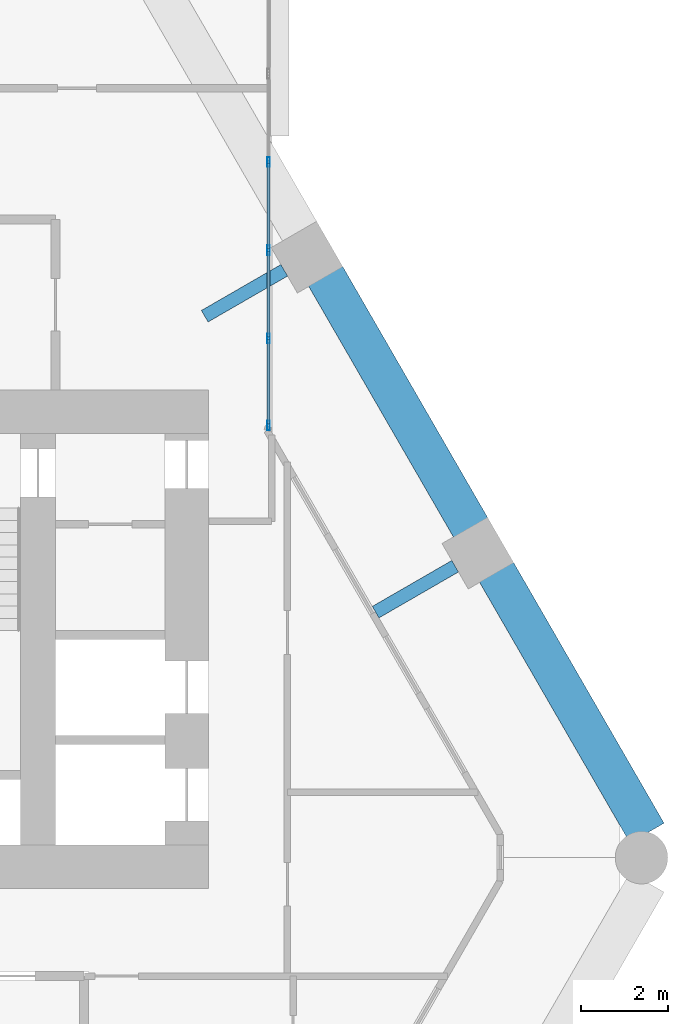
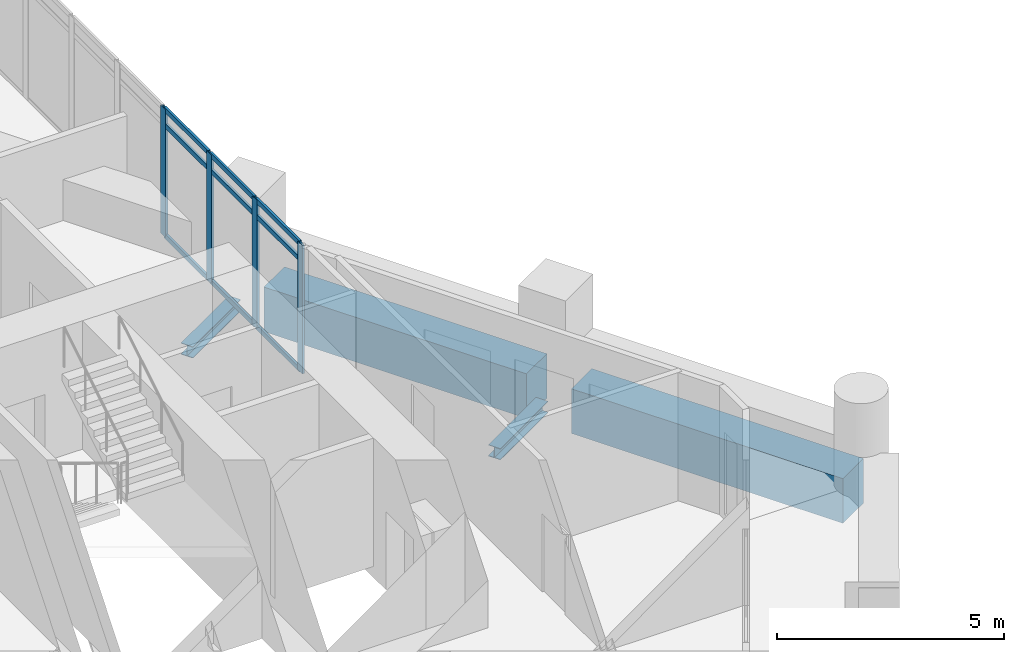
# One storey, part 23 of 37: 13 members, 4 beams, 1 element without a shape of its own.
"""IFC4 building model written with IfcOpenShell, lengths in metres."""

from ifc_helpers import new_model, si_unit, direction, frame, origin, origin_2d, place, context, subcontext, project, spatial, rectangle, hollow_rectangle, i_section, extrude, material, material_profile, profile_set, type_object, element, aggregate, save


model = new_model("IFC4")

# Units and contexts
model_context = context("Model", 3, precision=1e-05, world=origin(), true_north=direction((0.0, 1.0)))
body_context = subcontext(model_context, "Body", "Model", "MODEL_VIEW")
ifc_project = project(units=[si_unit("LENGTHUNIT", "METRE"), si_unit("AREAUNIT", "SQUARE_METRE"), si_unit("VOLUMEUNIT", "CUBIC_METRE"), si_unit("PLANEANGLEUNIT", "RADIAN"), si_unit("MASSUNIT", "GRAM", prefix="KILO")], contexts=[model_context])

# Site, building, storey
site_placement = place(None, origin())
site = spatial("IfcSite", under=ifc_project, at=site_placement, CompositionType="ELEMENT")
building_placement = place(site_placement, origin())
building = spatial("IfcBuilding", under=site, at=building_placement, Name="Ostrander Bayou Hotel Tower", CompositionType="ELEMENT")
storey_placement = place(building_placement, frame((0.0, 0.0, 131.0)))
storey = spatial("IfcBuildingStorey", under=building, at=storey_placement, Name="L32", CompositionType="ELEMENT", Elevation=131.0)

# Curtain wall, members
ifc_material_1 = material(Name="Aluminium and clear glass", Category="aluminium")
curtain_wall_type = type_object("IfcCurtainWallType", Name="CW-BAR glazed wall", PredefinedType="NOTDEFINED", material=ifc_material_1)
curtain_wall_placement = place(storey_placement, origin())
curtain_wall = element("IfcCurtainWall", 1, at=curtain_wall_placement, inside=storey, type_object=curtain_wall_type, Name="CW-BAR L32:SB3N:W", PredefinedType="NOTDEFINED")
ifc_material_2 = material(Name="Aluminium", Category="aluminium")
ifc_material_profile_1 = material_profile(ifc_material_2, hollow_rectangle(XDim=0.06005859375, YDim=0.219970703125, WallThickness=0.00390625, at=origin_2d()))
ifc_profile_set_1 = profile_set([ifc_material_profile_1], Name="Aluminium")
member_type_1 = type_object("IfcMemberType", Name="CW-BR mullion 60 x 220 mm", PredefinedType="MULLION", material=ifc_profile_set_1)
member_1_placement = place(storey_placement, frame((13.3671875, 8.8916015625, 0.0), z_axis=(0.0, 0.0, 1.0), x_axis=(-1.0, 0.0, 0.0)))
member_1 = element("IfcMember", 2, at=member_1_placement, type_object=member_type_1, Name="CW-BAR mullion 1", PredefinedType="MULLION", context=body_context, shape_type="SweptSolid", body=[
    extrude(hollow_rectangle(XDim=0.06005859375, YDim=0.219970703125, WallThickness=0.00390625, at=origin_2d()), origin(), (0.0, 0.0, 1.0), 3.449951171875),
])
member_2_placement = place(storey_placement, frame((13.3671875, 10.879150390625, 0.0), z_axis=(0.0, 0.0, 1.0), x_axis=(-1.0, 0.0, 0.0)))
member_2 = element("IfcMember", 3, at=member_2_placement, type_object=member_type_1, Name="CW-BAR mullion 2", PredefinedType="MULLION", context=body_context, shape_type="SweptSolid", body=[
    extrude(hollow_rectangle(XDim=0.06005859375, YDim=0.219970703125, WallThickness=0.00390625, at=origin_2d()), origin(), (0.0, 0.0, 1.0), 3.449951171875),
])
member_3_placement = place(storey_placement, frame((13.3671875, 12.896728515625, 0.0), z_axis=(0.0, 0.0, 1.0), x_axis=(-1.0, 0.0, 0.0)))
member_3 = element("IfcMember", 4, at=member_3_placement, type_object=member_type_1, Name="CW-BAR mullion 3", PredefinedType="MULLION", context=body_context, shape_type="SweptSolid", body=[
    extrude(hollow_rectangle(XDim=0.06005859375, YDim=0.219970703125, WallThickness=0.00390625, at=origin_2d()), origin(), (0.0, 0.0, 1.0), 3.449951171875),
])
member_4_placement = place(storey_placement, frame((13.3671875, 14.914306640625, 0.0), z_axis=(0.0, 0.0, 1.0), x_axis=(-1.0, 0.0, 0.0)))
member_4 = element("IfcMember", 5, at=member_4_placement, type_object=member_type_1, Name="CW-BAR mullion 4", PredefinedType="MULLION", context=body_context, shape_type="SweptSolid", body=[
    extrude(hollow_rectangle(XDim=0.06005859375, YDim=0.219970703125, WallThickness=0.00390625, at=origin_2d()), origin(), (0.0, 0.0, 1.0), 3.449951171875),
])
ifc_material_3 = material(Name="Aluminium", Category="aluminium")
ifc_material_profile_2 = material_profile(ifc_material_3, hollow_rectangle(XDim=0.06005859375, YDim=0.1298828125, WallThickness=0.00390625, at=origin_2d()))
ifc_profile_set_2 = profile_set([ifc_material_profile_2], Name="Aluminium")
member_type_2 = type_object("IfcMemberType", Name="CW-BR transom 60 x 130 mm", PredefinedType="USERDEFINED", material=ifc_profile_set_2)
member_5_placement = place(storey_placement, frame((13.3671875, 8.921630859375, 0.030029296875), z_axis=(0.0, 1.0, 0.0), x_axis=(-1.0, 0.0, 0.0)))
member_5 = element("IfcMember", 6, at=member_5_placement, type_object=member_type_2, Name="CW-BAR transom 1.1", ObjectType="TRANSOM", PredefinedType="USERDEFINED", context=body_context, shape_type="SweptSolid", body=[
    extrude(hollow_rectangle(XDim=0.06005859375, YDim=0.1298828125, WallThickness=0.00390625, at=origin_2d()), origin(), (0.0, 0.0, 1.0), 1.927490234375),
])
member_6_placement = place(storey_placement, frame((13.3671875, 8.921630859375, 3.0), z_axis=(0.0, 1.0, 0.0), x_axis=(-1.0, 0.0, 0.0)))
member_6 = element("IfcMember", 7, at=member_6_placement, type_object=member_type_2, Name="CW-BAR transom 1.2", ObjectType="TRANSOM", PredefinedType="USERDEFINED", context=body_context, shape_type="SweptSolid", body=[
    extrude(hollow_rectangle(XDim=0.06005859375, YDim=0.1298828125, WallThickness=0.00390625, at=origin_2d()), origin(), (0.0, 0.0, 1.0), 1.927490234375),
])
member_7_placement = place(storey_placement, frame((13.3671875, 8.921630859375, 3.419921875), z_axis=(0.0, 1.0, 0.0), x_axis=(-1.0, 0.0, 0.0)))
member_7 = element("IfcMember", 8, at=member_7_placement, type_object=member_type_2, Name="CW-BAR transom 1.3", ObjectType="TRANSOM", PredefinedType="USERDEFINED", context=body_context, shape_type="SweptSolid", body=[
    extrude(hollow_rectangle(XDim=0.06005859375, YDim=0.1298828125, WallThickness=0.00390625, at=origin_2d()), origin(), (0.0, 0.0, 1.0), 1.927490234375),
])
member_8_placement = place(storey_placement, frame((13.3671875, 10.9091796875, 0.030029296875), z_axis=(0.0, 1.0, 0.0), x_axis=(-1.0, 0.0, 0.0)))
member_8 = element("IfcMember", 9, at=member_8_placement, type_object=member_type_2, Name="CW-BAR transom 2.1", ObjectType="TRANSOM", PredefinedType="USERDEFINED", context=body_context, shape_type="SweptSolid", body=[
    extrude(hollow_rectangle(XDim=0.06005859375, YDim=0.1298828125, WallThickness=0.00390625, at=origin_2d()), origin(), (0.0, 0.0, 1.0), 1.95751953125),
])
member_9_placement = place(storey_placement, frame((13.3671875, 10.9091796875, 3.0), z_axis=(0.0, 1.0, 0.0), x_axis=(-1.0, 0.0, 0.0)))
member_9 = element("IfcMember", 10, at=member_9_placement, type_object=member_type_2, Name="CW-BAR transom 2.2", ObjectType="TRANSOM", PredefinedType="USERDEFINED", context=body_context, shape_type="SweptSolid", body=[
    extrude(hollow_rectangle(XDim=0.06005859375, YDim=0.1298828125, WallThickness=0.00390625, at=origin_2d()), origin(), (0.0, 0.0, 1.0), 1.95751953125),
])
member_10_placement = place(storey_placement, frame((13.3671875, 10.9091796875, 3.419921875), z_axis=(0.0, 1.0, 0.0), x_axis=(-1.0, 0.0, 0.0)))
member_10 = element("IfcMember", 11, at=member_10_placement, type_object=member_type_2, Name="CW-BAR transom 2.3", ObjectType="TRANSOM", PredefinedType="USERDEFINED", context=body_context, shape_type="SweptSolid", body=[
    extrude(hollow_rectangle(XDim=0.06005859375, YDim=0.1298828125, WallThickness=0.00390625, at=origin_2d()), origin(), (0.0, 0.0, 1.0), 1.95751953125),
])
member_11_placement = place(storey_placement, frame((13.3671875, 12.9267578125, 0.030029296875), z_axis=(0.0, 1.0, 0.0), x_axis=(-1.0, 0.0, 0.0)))
member_11 = element("IfcMember", 12, at=member_11_placement, type_object=member_type_2, Name="CW-BAR transom 3.1", ObjectType="TRANSOM", PredefinedType="USERDEFINED", context=body_context, shape_type="SweptSolid", body=[
    extrude(hollow_rectangle(XDim=0.06005859375, YDim=0.1298828125, WallThickness=0.00390625, at=origin_2d()), origin(), (0.0, 0.0, 1.0), 1.95751953125),
])
member_12_placement = place(storey_placement, frame((13.3671875, 12.9267578125, 3.0), z_axis=(0.0, 1.0, 0.0), x_axis=(-1.0, 0.0, 0.0)))
member_12 = element("IfcMember", 13, at=member_12_placement, type_object=member_type_2, Name="CW-BAR transom 3.2", ObjectType="TRANSOM", PredefinedType="USERDEFINED", context=body_context, shape_type="SweptSolid", body=[
    extrude(hollow_rectangle(XDim=0.06005859375, YDim=0.1298828125, WallThickness=0.00390625, at=origin_2d()), origin(), (0.0, 0.0, 1.0), 1.95751953125),
])
member_13_placement = place(storey_placement, frame((13.3671875, 12.9267578125, 3.419921875), z_axis=(0.0, 1.0, 0.0), x_axis=(-1.0, 0.0, 0.0)))
member_13 = element("IfcMember", 14, at=member_13_placement, type_object=member_type_2, Name="CW-BAR transom 3.3", ObjectType="TRANSOM", PredefinedType="USERDEFINED", context=body_context, shape_type="SweptSolid", body=[
    extrude(hollow_rectangle(XDim=0.06005859375, YDim=0.1298828125, WallThickness=0.00390625, at=origin_2d()), origin(), (0.0, 0.0, 1.0), 1.95751953125),
])
aggregate(curtain_wall, [member_1, member_2, member_3, member_4, member_5, member_6, member_7, member_8, member_9, member_10, member_11, member_12, member_13])

# Beams
ifc_material_4 = material(Name="Steel ASTM A992", Category="steel")
ifc_material_profile_3 = material_profile(ifc_material_4, i_section(OverallWidth=0.3046875, OverallDepth=0.307861328125, WebThickness=0.010009765625, FlangeThickness=0.015380859375, at=origin_2d()))
ifc_profile_set_3 = profile_set([ifc_material_profile_3], Name="Steel ASTM A992")
beam_type_1 = type_object("IfcBeamType", Name="LB1 loggia bracket W12x65", PredefinedType="BEAM", material=ifc_profile_set_3)
for number, where, z_axis, x_axis, name in (
    (15, (17.634765625, 5.67041015625, -0.453857421875), (-0.866038466041, -0.499977374825, 0.0), (0.499977374825, -0.866038466041, 0.0), "LB1 L32 NE1"),
    (16, (13.727783203125, 12.43701171875, -0.453857421875), (-0.866009402589, -0.500027713859, 0.0), (0.500027713859, -0.866009402589, 0.0), "LB1 L32 NE2"),
):
    element("IfcBeam", number, at=place(storey_placement, frame(where, z_axis=z_axis, x_axis=x_axis)), inside=storey, type_object=beam_type_1, Name=name, PredefinedType="BEAM", context=body_context, shape_type="SweptSolid", body=[
        extrude(i_section(OverallWidth=0.3046875, OverallDepth=0.307861328125, WebThickness=0.010009765625, FlangeThickness=0.015380859375, at=origin_2d()), origin(), (0.0, 0.0, 1.0), 2.10009765625),
    ])
ifc_material_5 = material(Name="Concrete f'c 70 MPa", Category="concrete")
ifc_material_profile_4 = material_profile(ifc_material_5, rectangle(XDim=0.89990234375, YDim=1.199951171875, at=origin_2d()))
ifc_profile_set_4 = profile_set([ifc_material_profile_4], Name="Concrete f'c 70 MPa")
beam_type_2 = type_object("IfcBeamType", Name="SP2 spandrel beam 900 x 1200 mm f'c 70 MPa", PredefinedType="SPANDREL", material=ifc_profile_set_4)
beam_1_placement = place(storey_placement, frame((22.022216796875, -0.42919921875, -0.60009765625), z_axis=(-0.500017246033, 0.866015446554, 0.0), x_axis=(-0.866015446554, -0.500017246033, 0.0)))
element("IfcBeam", 17, at=beam_1_placement, inside=storey, type_object=beam_type_2, Name="SP2 L32 NE-1", PredefinedType="SPANDREL", context=body_context, shape_type="SweptSolid", body=[
    extrude(rectangle(XDim=0.89990234375, YDim=1.199951171875, at=origin_2d()), origin(), (0.0, 0.0, 1.0), 6.906005859375),
])
beam_2_placement = place(storey_placement, frame((17.999267578125, 6.538818359375, -0.60009765625), z_axis=(-0.50001062018, 0.866019272134, 0.0), x_axis=(-0.866019272134, -0.50001062018, 0.0)))
element("IfcBeam", 18, at=beam_2_placement, inside=storey, type_object=beam_type_2, Name="SP2 L32 NE-2", PredefinedType="SPANDREL", context=body_context, shape_type="SweptSolid", body=[
    extrude(rectangle(XDim=0.89990234375, YDim=1.199951171875, at=origin_2d()), origin(), (0.0, 0.0, 1.0), 6.673583984375),
])

save(model, "model.ifc")
